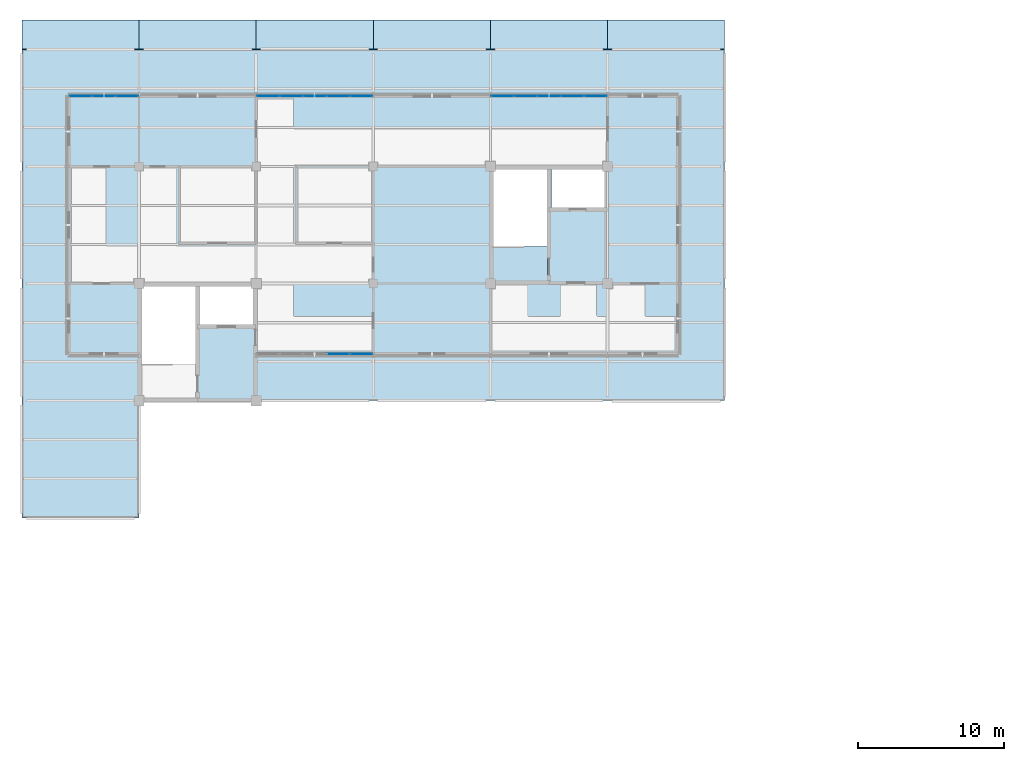
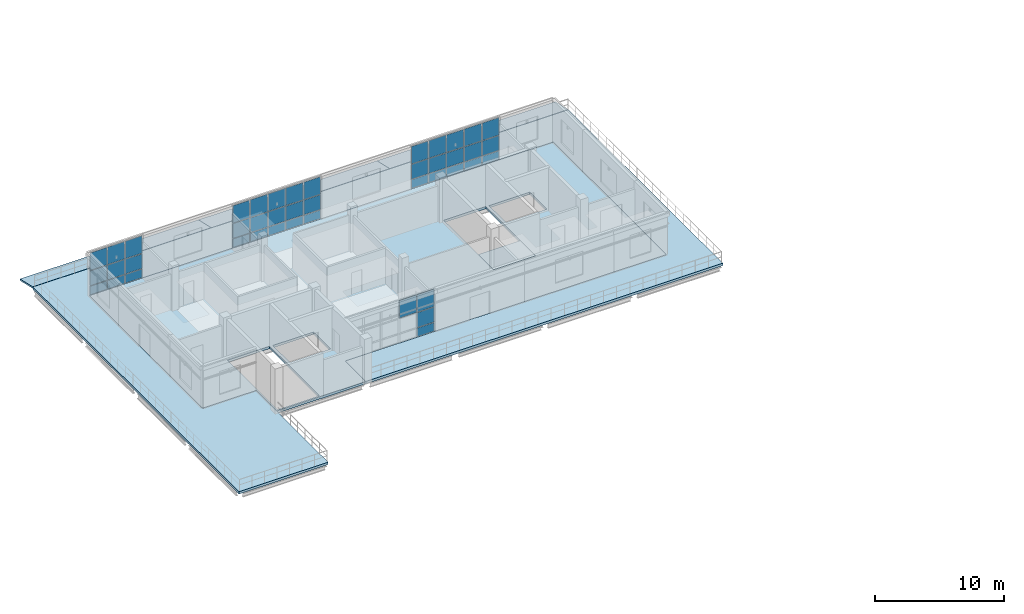
# One storey, part 13 of 24: 43 plates, 9 slabs, 4 elements without a shape of their own.
"""IFC4 building model written with IfcOpenShell, lengths in metres."""

from ifc_helpers import new_model, si_unit, derived_unit, direction, frame, origin, origin_2d, place, context, subcontext, project, spatial, polyline, rectangle, outline, extrude, material, layer, layer_set, type_object, element, aggregate, save


model = new_model("IFC4")

# Units and contexts
model_context = context("Model", 3, precision=1e-05, world=origin(), true_north=direction((0.0, 1.0)))
body_context = subcontext(model_context, "Body", "Model", "MODEL_VIEW")
ifc_project = project(units=[si_unit("LENGTHUNIT", "METRE"), si_unit("AREAUNIT", "SQUARE_METRE"), si_unit("VOLUMEUNIT", "CUBIC_METRE"), si_unit("PLANEANGLEUNIT", "RADIAN"), si_unit("MASSUNIT", "GRAM", prefix="KILO"), derived_unit("THERMALTRANSMITTANCEUNIT", [(si_unit("MASSUNIT", "GRAM", prefix="KILO"), 1), (si_unit("TIMEUNIT", "SECOND"), -3), (si_unit("THERMODYNAMICTEMPERATUREUNIT", "KELVIN"), -1)])], contexts=[model_context])

# Site, building, storey
site_placement = place(None, origin())
site = spatial("IfcSite", under=ifc_project, at=site_placement, CompositionType="ELEMENT")
building_placement = place(site_placement, origin())
building = spatial("IfcBuilding", under=site, at=building_placement, Name="Veyamyaing Civic Hall", CompositionType="ELEMENT")
storey_placement = place(building_placement, frame((0.0, 0.0, 25.739990234375)))
storey = spatial("IfcBuildingStorey", under=building, at=storey_placement, Name="L06", CompositionType="ELEMENT", Elevation=25.739990234375)

# Curtain wall, plates
ifc_material_1 = material(Name="Anodised aluminium 6063-T6", Category="aluminium")
ifc_layer_1 = layer(ifc_material_1, 0.159912109375, Name="Anodised aluminium 6063-T6")
ifc_layer_set_1 = layer_set([ifc_layer_1], Name="Anodised aluminium 6063-T6")
curtain_wall_type = type_object("IfcCurtainWallType", Name="CW-05", PredefinedType="NOTDEFINED", material=ifc_layer_set_1)
curtain_wall_1_placement = place(storey_placement, origin())
curtain_wall_1 = element("IfcCurtainWall", 1, at=curtain_wall_1_placement, inside=storey, type_object=curtain_wall_type, Name="Executive terrace curtain wall CW-05 L06-NW-S-2", PredefinedType="NOTDEFINED")
ifc_material_2 = material(Name="Low-E insulated glass", Category="glass")
ifc_layer_2 = layer(ifc_material_2, 0.0400390625, Name="Low-E insulated glass")
ifc_layer_set_2 = layer_set([ifc_layer_2], Name="Low-E insulated glass")
plate_type = type_object("IfcPlateType", Name="CWP-05", PredefinedType="CURTAIN_PANEL", material=ifc_layer_set_2)
plate_1_placement = place(storey_placement, frame((21.60009765625, 91.199951171875, 2.382568359375), z_axis=(0.0, 0.0, 1.0), x_axis=(1.0, 0.0, 0.0)))
plate_1 = element("IfcPlate", 2, at=plate_1_placement, type_object=plate_type, Name="CW-05 panel 4.3", PredefinedType="CURTAIN_PANEL", context=body_context, shape_type="SweptSolid", body=[
    extrude(rectangle(XDim=1.534912109375, YDim=0.0400390625, at=origin_2d()), origin(), (0.0, 0.0, 1.0), 1.642578125),
])
plate_2_placement = place(storey_placement, frame((23.183837890625, 91.199951171875, 0.06494140625), z_axis=(0.0, 0.0, 1.0), x_axis=(1.0, 0.0, 0.0)))
plate_2 = element("IfcPlate", 3, at=plate_2_placement, type_object=plate_type, Name="CW-05 panel 5.1", PredefinedType="CURTAIN_PANEL", context=body_context, shape_type="SweptSolid", body=[
    extrude(rectangle(XDim=1.50244140625, YDim=0.0400390625, at=origin_2d()), origin(), (0.0, 0.0, 1.0), 0.802490234375),
])
plate_3_placement = place(storey_placement, frame((23.183837890625, 91.199951171875, 0.9326171875), z_axis=(0.0, 0.0, 1.0), x_axis=(1.0, 0.0, 0.0)))
plate_3 = element("IfcPlate", 4, at=plate_3_placement, type_object=plate_type, Name="CW-05 panel 5.2", PredefinedType="CURTAIN_PANEL", context=body_context, shape_type="SweptSolid", body=[
    extrude(rectangle(XDim=1.50244140625, YDim=0.0400390625, at=origin_2d()), origin(), (0.0, 0.0, 1.0), 1.385009765625),
])
plate_4_placement = place(storey_placement, frame((23.183837890625, 91.199951171875, 2.382568359375), z_axis=(0.0, 0.0, 1.0), x_axis=(1.0, 0.0, 0.0)))
plate_4 = element("IfcPlate", 5, at=plate_4_placement, type_object=plate_type, Name="CW-05 panel 5.3", PredefinedType="CURTAIN_PANEL", context=body_context, shape_type="SweptSolid", body=[
    extrude(rectangle(XDim=1.50244140625, YDim=0.0400390625, at=origin_2d()), origin(), (0.0, 0.0, 1.0), 1.642578125),
])
aggregate(curtain_wall_1, [plate_1, plate_2, plate_3, plate_4])

curtain_wall_2_placement = place(storey_placement, origin())
curtain_wall_2 = element("IfcCurtainWall", 6, at=curtain_wall_2_placement, inside=storey, type_object=curtain_wall_type, Name="Executive terrace curtain wall CW-05 L06-NW-N-0", PredefinedType="NOTDEFINED")
plate_5_placement = place(storey_placement, frame((4.016357421875, 108.800048828125, 0.06494140625), z_axis=(0.0, 0.0, 1.0), x_axis=(1.0, 0.0, 0.0)))
plate_5 = element("IfcPlate", 7, at=plate_5_placement, type_object=plate_type, Name="CW-05 panel 1.1", PredefinedType="CURTAIN_PANEL", context=body_context, shape_type="SweptSolid", body=[
    extrude(rectangle(XDim=1.50244140625, YDim=0.0400390625, at=origin_2d()), origin(), (0.0, 0.0, 1.0), 0.802490234375),
])
plate_6_placement = place(storey_placement, frame((4.016357421875, 108.800048828125, 0.9326171875), z_axis=(0.0, 0.0, 1.0), x_axis=(1.0, 0.0, 0.0)))
plate_6 = element("IfcPlate", 8, at=plate_6_placement, type_object=plate_type, Name="CW-05 panel 1.2", PredefinedType="CURTAIN_PANEL", context=body_context, shape_type="SweptSolid", body=[
    extrude(rectangle(XDim=1.50244140625, YDim=0.0400390625, at=origin_2d()), origin(), (0.0, 0.0, 1.0), 1.385009765625),
])
plate_7_placement = place(storey_placement, frame((4.016357421875, 108.800048828125, 2.382568359375), z_axis=(0.0, 0.0, 1.0), x_axis=(1.0, 0.0, 0.0)))
plate_7 = element("IfcPlate", 9, at=plate_7_placement, type_object=plate_type, Name="CW-05 panel 1.3", PredefinedType="CURTAIN_PANEL", context=body_context, shape_type="SweptSolid", body=[
    extrude(rectangle(XDim=1.50244140625, YDim=0.0400390625, at=origin_2d()), origin(), (0.0, 0.0, 1.0), 1.642578125),
])
plate_8_placement = place(storey_placement, frame((5.60009765625, 108.800048828125, 0.06494140625), z_axis=(0.0, 0.0, 1.0), x_axis=(1.0, 0.0, 0.0)))
plate_8 = element("IfcPlate", 10, at=plate_8_placement, type_object=plate_type, Name="CW-05 panel 2.1", PredefinedType="CURTAIN_PANEL", context=body_context, shape_type="SweptSolid", body=[
    extrude(rectangle(XDim=1.534912109375, YDim=0.0400390625, at=origin_2d()), origin(), (0.0, 0.0, 1.0), 0.802490234375),
])
plate_9_placement = place(storey_placement, frame((5.60009765625, 108.800048828125, 0.9326171875), z_axis=(0.0, 0.0, 1.0), x_axis=(1.0, 0.0, 0.0)))
plate_9 = element("IfcPlate", 11, at=plate_9_placement, type_object=plate_type, Name="CW-05 panel 2.2", PredefinedType="CURTAIN_PANEL", context=body_context, shape_type="SweptSolid", body=[
    extrude(rectangle(XDim=1.534912109375, YDim=0.0400390625, at=origin_2d()), origin(), (0.0, 0.0, 1.0), 1.385009765625),
])
plate_10_placement = place(storey_placement, frame((5.60009765625, 108.800048828125, 2.382568359375), z_axis=(0.0, 0.0, 1.0), x_axis=(1.0, 0.0, 0.0)))
plate_10 = element("IfcPlate", 12, at=plate_10_placement, type_object=plate_type, Name="CW-05 panel 2.3", PredefinedType="CURTAIN_PANEL", context=body_context, shape_type="SweptSolid", body=[
    extrude(rectangle(XDim=1.534912109375, YDim=0.0400390625, at=origin_2d()), origin(), (0.0, 0.0, 1.0), 1.642578125),
])
plate_11_placement = place(storey_placement, frame((7.183837890625, 108.800048828125, 0.06494140625), z_axis=(0.0, 0.0, 1.0), x_axis=(1.0, 0.0, 0.0)))
plate_11 = element("IfcPlate", 13, at=plate_11_placement, type_object=plate_type, Name="CW-05 panel 3.1", PredefinedType="CURTAIN_PANEL", context=body_context, shape_type="SweptSolid", body=[
    extrude(rectangle(XDim=1.50244140625, YDim=0.0400390625, at=origin_2d()), origin(), (0.0, 0.0, 1.0), 0.802490234375),
])
plate_12_placement = place(storey_placement, frame((7.183837890625, 108.800048828125, 0.9326171875), z_axis=(0.0, 0.0, 1.0), x_axis=(1.0, 0.0, 0.0)))
plate_12 = element("IfcPlate", 14, at=plate_12_placement, type_object=plate_type, Name="CW-05 panel 3.2", PredefinedType="CURTAIN_PANEL", context=body_context, shape_type="SweptSolid", body=[
    extrude(rectangle(XDim=1.50244140625, YDim=0.0400390625, at=origin_2d()), origin(), (0.0, 0.0, 1.0), 1.385009765625),
])
plate_13_placement = place(storey_placement, frame((7.183837890625, 108.800048828125, 2.382568359375), z_axis=(0.0, 0.0, 1.0), x_axis=(1.0, 0.0, 0.0)))
plate_13 = element("IfcPlate", 15, at=plate_13_placement, type_object=plate_type, Name="CW-05 panel 3.3", PredefinedType="CURTAIN_PANEL", context=body_context, shape_type="SweptSolid", body=[
    extrude(rectangle(XDim=1.50244140625, YDim=0.0400390625, at=origin_2d()), origin(), (0.0, 0.0, 1.0), 1.642578125),
])
aggregate(curtain_wall_2, [plate_5, plate_6, plate_7, plate_8, plate_9, plate_10, plate_11, plate_12, plate_13])

curtain_wall_3_placement = place(storey_placement, origin())
curtain_wall_3 = element("IfcCurtainWall", 16, at=curtain_wall_3_placement, inside=storey, type_object=curtain_wall_type, Name="Executive terrace curtain wall CW-05 L06-NW-N-2", PredefinedType="NOTDEFINED")
plate_14_placement = place(storey_placement, frame((16.816162109375, 108.800048828125, 0.06494140625), z_axis=(0.0, 0.0, 1.0), x_axis=(1.0, 0.0, 0.0)))
plate_14 = element("IfcPlate", 17, at=plate_14_placement, type_object=plate_type, Name="CW-05 panel 1.1", PredefinedType="CURTAIN_PANEL", context=body_context, shape_type="SweptSolid", body=[
    extrude(rectangle(XDim=1.50244140625, YDim=0.0400390625, at=origin_2d()), origin(), (0.0, 0.0, 1.0), 0.802490234375),
])
plate_15_placement = place(storey_placement, frame((16.816162109375, 108.800048828125, 0.9326171875), z_axis=(0.0, 0.0, 1.0), x_axis=(1.0, 0.0, 0.0)))
plate_15 = element("IfcPlate", 18, at=plate_15_placement, type_object=plate_type, Name="CW-05 panel 1.2", PredefinedType="CURTAIN_PANEL", context=body_context, shape_type="SweptSolid", body=[
    extrude(rectangle(XDim=1.50244140625, YDim=0.0400390625, at=origin_2d()), origin(), (0.0, 0.0, 1.0), 1.385009765625),
])
plate_16_placement = place(storey_placement, frame((16.816162109375, 108.800048828125, 2.382568359375), z_axis=(0.0, 0.0, 1.0), x_axis=(1.0, 0.0, 0.0)))
plate_16 = element("IfcPlate", 19, at=plate_16_placement, type_object=plate_type, Name="CW-05 panel 1.3", PredefinedType="CURTAIN_PANEL", context=body_context, shape_type="SweptSolid", body=[
    extrude(rectangle(XDim=1.50244140625, YDim=0.0400390625, at=origin_2d()), origin(), (0.0, 0.0, 1.0), 1.642578125),
])
plate_17_placement = place(storey_placement, frame((18.39990234375, 108.800048828125, 0.06494140625), z_axis=(0.0, 0.0, 1.0), x_axis=(1.0, 0.0, 0.0)))
plate_17 = element("IfcPlate", 20, at=plate_17_placement, type_object=plate_type, Name="CW-05 panel 2.1", PredefinedType="CURTAIN_PANEL", context=body_context, shape_type="SweptSolid", body=[
    extrude(rectangle(XDim=1.534912109375, YDim=0.0400390625, at=origin_2d()), origin(), (0.0, 0.0, 1.0), 0.802490234375),
])
plate_18_placement = place(storey_placement, frame((18.39990234375, 108.800048828125, 0.9326171875), z_axis=(0.0, 0.0, 1.0), x_axis=(1.0, 0.0, 0.0)))
plate_18 = element("IfcPlate", 21, at=plate_18_placement, type_object=plate_type, Name="CW-05 panel 2.2", PredefinedType="CURTAIN_PANEL", context=body_context, shape_type="SweptSolid", body=[
    extrude(rectangle(XDim=1.534912109375, YDim=0.0400390625, at=origin_2d()), origin(), (0.0, 0.0, 1.0), 1.385009765625),
])
plate_19_placement = place(storey_placement, frame((18.39990234375, 108.800048828125, 2.382568359375), z_axis=(0.0, 0.0, 1.0), x_axis=(1.0, 0.0, 0.0)))
plate_19 = element("IfcPlate", 22, at=plate_19_placement, type_object=plate_type, Name="CW-05 panel 2.3", PredefinedType="CURTAIN_PANEL", context=body_context, shape_type="SweptSolid", body=[
    extrude(rectangle(XDim=1.534912109375, YDim=0.0400390625, at=origin_2d()), origin(), (0.0, 0.0, 1.0), 1.642578125),
])
plate_20_placement = place(storey_placement, frame((20.0, 108.800048828125, 0.06494140625), z_axis=(0.0, 0.0, 1.0), x_axis=(1.0, 0.0, 0.0)))
plate_20 = element("IfcPlate", 23, at=plate_20_placement, type_object=plate_type, Name="CW-05 panel 3.1", PredefinedType="CURTAIN_PANEL", context=body_context, shape_type="SweptSolid", body=[
    extrude(rectangle(XDim=1.534912109375, YDim=0.0400390625, at=origin_2d()), origin(), (0.0, 0.0, 1.0), 0.802490234375),
])
plate_21_placement = place(storey_placement, frame((20.0, 108.800048828125, 0.9326171875), z_axis=(0.0, 0.0, 1.0), x_axis=(1.0, 0.0, 0.0)))
plate_21 = element("IfcPlate", 24, at=plate_21_placement, type_object=plate_type, Name="CW-05 panel 3.2", PredefinedType="CURTAIN_PANEL", context=body_context, shape_type="SweptSolid", body=[
    extrude(rectangle(XDim=1.534912109375, YDim=0.0400390625, at=origin_2d()), origin(), (0.0, 0.0, 1.0), 1.385009765625),
])
plate_22_placement = place(storey_placement, frame((20.0, 108.800048828125, 2.382568359375), z_axis=(0.0, 0.0, 1.0), x_axis=(1.0, 0.0, 0.0)))
plate_22 = element("IfcPlate", 25, at=plate_22_placement, type_object=plate_type, Name="CW-05 panel 3.3", PredefinedType="CURTAIN_PANEL", context=body_context, shape_type="SweptSolid", body=[
    extrude(rectangle(XDim=1.534912109375, YDim=0.0400390625, at=origin_2d()), origin(), (0.0, 0.0, 1.0), 1.642578125),
])
plate_23_placement = place(storey_placement, frame((21.60009765625, 108.800048828125, 0.06494140625), z_axis=(0.0, 0.0, 1.0), x_axis=(1.0, 0.0, 0.0)))
plate_23 = element("IfcPlate", 26, at=plate_23_placement, type_object=plate_type, Name="CW-05 panel 4.1", PredefinedType="CURTAIN_PANEL", context=body_context, shape_type="SweptSolid", body=[
    extrude(rectangle(XDim=1.534912109375, YDim=0.0400390625, at=origin_2d()), origin(), (0.0, 0.0, 1.0), 0.802490234375),
])
plate_24_placement = place(storey_placement, frame((21.60009765625, 108.800048828125, 0.9326171875), z_axis=(0.0, 0.0, 1.0), x_axis=(1.0, 0.0, 0.0)))
plate_24 = element("IfcPlate", 27, at=plate_24_placement, type_object=plate_type, Name="CW-05 panel 4.2", PredefinedType="CURTAIN_PANEL", context=body_context, shape_type="SweptSolid", body=[
    extrude(rectangle(XDim=1.534912109375, YDim=0.0400390625, at=origin_2d()), origin(), (0.0, 0.0, 1.0), 1.385009765625),
])
plate_25_placement = place(storey_placement, frame((21.60009765625, 108.800048828125, 2.382568359375), z_axis=(0.0, 0.0, 1.0), x_axis=(1.0, 0.0, 0.0)))
plate_25 = element("IfcPlate", 28, at=plate_25_placement, type_object=plate_type, Name="CW-05 panel 4.3", PredefinedType="CURTAIN_PANEL", context=body_context, shape_type="SweptSolid", body=[
    extrude(rectangle(XDim=1.534912109375, YDim=0.0400390625, at=origin_2d()), origin(), (0.0, 0.0, 1.0), 1.642578125),
])
plate_26_placement = place(storey_placement, frame((23.183837890625, 108.800048828125, 0.06494140625), z_axis=(0.0, 0.0, 1.0), x_axis=(1.0, 0.0, 0.0)))
plate_26 = element("IfcPlate", 29, at=plate_26_placement, type_object=plate_type, Name="CW-05 panel 5.1", PredefinedType="CURTAIN_PANEL", context=body_context, shape_type="SweptSolid", body=[
    extrude(rectangle(XDim=1.50244140625, YDim=0.0400390625, at=origin_2d()), origin(), (0.0, 0.0, 1.0), 0.802490234375),
])
plate_27_placement = place(storey_placement, frame((23.183837890625, 108.800048828125, 0.9326171875), z_axis=(0.0, 0.0, 1.0), x_axis=(1.0, 0.0, 0.0)))
plate_27 = element("IfcPlate", 30, at=plate_27_placement, type_object=plate_type, Name="CW-05 panel 5.2", PredefinedType="CURTAIN_PANEL", context=body_context, shape_type="SweptSolid", body=[
    extrude(rectangle(XDim=1.50244140625, YDim=0.0400390625, at=origin_2d()), origin(), (0.0, 0.0, 1.0), 1.385009765625),
])
plate_28_placement = place(storey_placement, frame((23.183837890625, 108.800048828125, 2.382568359375), z_axis=(0.0, 0.0, 1.0), x_axis=(1.0, 0.0, 0.0)))
plate_28 = element("IfcPlate", 31, at=plate_28_placement, type_object=plate_type, Name="CW-05 panel 5.3", PredefinedType="CURTAIN_PANEL", context=body_context, shape_type="SweptSolid", body=[
    extrude(rectangle(XDim=1.50244140625, YDim=0.0400390625, at=origin_2d()), origin(), (0.0, 0.0, 1.0), 1.642578125),
])
aggregate(curtain_wall_3, [plate_14, plate_15, plate_16, plate_17, plate_18, plate_19, plate_20, plate_21, plate_22, plate_23, plate_24, plate_25, plate_26, plate_27, plate_28])

curtain_wall_4_placement = place(storey_placement, origin())
curtain_wall_4 = element("IfcCurtainWall", 32, at=curtain_wall_4_placement, inside=storey, type_object=curtain_wall_type, Name="Executive terrace curtain wall CW-05 L06-NW-N-4", PredefinedType="NOTDEFINED")
plate_29_placement = place(storey_placement, frame((32.816162109375, 108.800048828125, 0.06494140625), z_axis=(0.0, 0.0, 1.0), x_axis=(1.0, 0.0, 0.0)))
plate_29 = element("IfcPlate", 33, at=plate_29_placement, type_object=plate_type, Name="CW-05 panel 1.1", PredefinedType="CURTAIN_PANEL", context=body_context, shape_type="SweptSolid", body=[
    extrude(rectangle(XDim=1.50244140625, YDim=0.0400390625, at=origin_2d()), origin(), (0.0, 0.0, 1.0), 0.802490234375),
])
plate_30_placement = place(storey_placement, frame((32.816162109375, 108.800048828125, 0.9326171875), z_axis=(0.0, 0.0, 1.0), x_axis=(1.0, 0.0, 0.0)))
plate_30 = element("IfcPlate", 34, at=plate_30_placement, type_object=plate_type, Name="CW-05 panel 1.2", PredefinedType="CURTAIN_PANEL", context=body_context, shape_type="SweptSolid", body=[
    extrude(rectangle(XDim=1.50244140625, YDim=0.0400390625, at=origin_2d()), origin(), (0.0, 0.0, 1.0), 1.385009765625),
])
plate_31_placement = place(storey_placement, frame((32.816162109375, 108.800048828125, 2.382568359375), z_axis=(0.0, 0.0, 1.0), x_axis=(1.0, 0.0, 0.0)))
plate_31 = element("IfcPlate", 35, at=plate_31_placement, type_object=plate_type, Name="CW-05 panel 1.3", PredefinedType="CURTAIN_PANEL", context=body_context, shape_type="SweptSolid", body=[
    extrude(rectangle(XDim=1.50244140625, YDim=0.0400390625, at=origin_2d()), origin(), (0.0, 0.0, 1.0), 1.642578125),
])
plate_32_placement = place(storey_placement, frame((34.39990234375, 108.800048828125, 0.06494140625), z_axis=(0.0, 0.0, 1.0), x_axis=(1.0, 0.0, 0.0)))
plate_32 = element("IfcPlate", 36, at=plate_32_placement, type_object=plate_type, Name="CW-05 panel 2.1", PredefinedType="CURTAIN_PANEL", context=body_context, shape_type="SweptSolid", body=[
    extrude(rectangle(XDim=1.534912109375, YDim=0.0400390625, at=origin_2d()), origin(), (0.0, 0.0, 1.0), 0.802490234375),
])
plate_33_placement = place(storey_placement, frame((34.39990234375, 108.800048828125, 0.9326171875), z_axis=(0.0, 0.0, 1.0), x_axis=(1.0, 0.0, 0.0)))
plate_33 = element("IfcPlate", 37, at=plate_33_placement, type_object=plate_type, Name="CW-05 panel 2.2", PredefinedType="CURTAIN_PANEL", context=body_context, shape_type="SweptSolid", body=[
    extrude(rectangle(XDim=1.534912109375, YDim=0.0400390625, at=origin_2d()), origin(), (0.0, 0.0, 1.0), 1.385009765625),
])
plate_34_placement = place(storey_placement, frame((34.39990234375, 108.800048828125, 2.382568359375), z_axis=(0.0, 0.0, 1.0), x_axis=(1.0, 0.0, 0.0)))
plate_34 = element("IfcPlate", 38, at=plate_34_placement, type_object=plate_type, Name="CW-05 panel 2.3", PredefinedType="CURTAIN_PANEL", context=body_context, shape_type="SweptSolid", body=[
    extrude(rectangle(XDim=1.534912109375, YDim=0.0400390625, at=origin_2d()), origin(), (0.0, 0.0, 1.0), 1.642578125),
])
plate_35_placement = place(storey_placement, frame((36.0, 108.800048828125, 0.06494140625), z_axis=(0.0, 0.0, 1.0), x_axis=(1.0, 0.0, 0.0)))
plate_35 = element("IfcPlate", 39, at=plate_35_placement, type_object=plate_type, Name="CW-05 panel 3.1", PredefinedType="CURTAIN_PANEL", context=body_context, shape_type="SweptSolid", body=[
    extrude(rectangle(XDim=1.534912109375, YDim=0.0400390625, at=origin_2d()), origin(), (0.0, 0.0, 1.0), 0.802490234375),
])
plate_36_placement = place(storey_placement, frame((36.0, 108.800048828125, 0.9326171875), z_axis=(0.0, 0.0, 1.0), x_axis=(1.0, 0.0, 0.0)))
plate_36 = element("IfcPlate", 40, at=plate_36_placement, type_object=plate_type, Name="CW-05 panel 3.2", PredefinedType="CURTAIN_PANEL", context=body_context, shape_type="SweptSolid", body=[
    extrude(rectangle(XDim=1.534912109375, YDim=0.0400390625, at=origin_2d()), origin(), (0.0, 0.0, 1.0), 1.385009765625),
])
plate_37_placement = place(storey_placement, frame((36.0, 108.800048828125, 2.382568359375), z_axis=(0.0, 0.0, 1.0), x_axis=(1.0, 0.0, 0.0)))
plate_37 = element("IfcPlate", 41, at=plate_37_placement, type_object=plate_type, Name="CW-05 panel 3.3", PredefinedType="CURTAIN_PANEL", context=body_context, shape_type="SweptSolid", body=[
    extrude(rectangle(XDim=1.534912109375, YDim=0.0400390625, at=origin_2d()), origin(), (0.0, 0.0, 1.0), 1.642578125),
])
plate_38_placement = place(storey_placement, frame((37.60009765625, 108.800048828125, 0.06494140625), z_axis=(0.0, 0.0, 1.0), x_axis=(1.0, 0.0, 0.0)))
plate_38 = element("IfcPlate", 42, at=plate_38_placement, type_object=plate_type, Name="CW-05 panel 4.1", PredefinedType="CURTAIN_PANEL", context=body_context, shape_type="SweptSolid", body=[
    extrude(rectangle(XDim=1.534912109375, YDim=0.0400390625, at=origin_2d()), origin(), (0.0, 0.0, 1.0), 0.802490234375),
])
plate_39_placement = place(storey_placement, frame((37.60009765625, 108.800048828125, 0.9326171875), z_axis=(0.0, 0.0, 1.0), x_axis=(1.0, 0.0, 0.0)))
plate_39 = element("IfcPlate", 43, at=plate_39_placement, type_object=plate_type, Name="CW-05 panel 4.2", PredefinedType="CURTAIN_PANEL", context=body_context, shape_type="SweptSolid", body=[
    extrude(rectangle(XDim=1.534912109375, YDim=0.0400390625, at=origin_2d()), origin(), (0.0, 0.0, 1.0), 1.385009765625),
])
plate_40_placement = place(storey_placement, frame((37.60009765625, 108.800048828125, 2.382568359375), z_axis=(0.0, 0.0, 1.0), x_axis=(1.0, 0.0, 0.0)))
plate_40 = element("IfcPlate", 44, at=plate_40_placement, type_object=plate_type, Name="CW-05 panel 4.3", PredefinedType="CURTAIN_PANEL", context=body_context, shape_type="SweptSolid", body=[
    extrude(rectangle(XDim=1.534912109375, YDim=0.0400390625, at=origin_2d()), origin(), (0.0, 0.0, 1.0), 1.642578125),
])
plate_41_placement = place(storey_placement, frame((39.183837890625, 108.800048828125, 0.06494140625), z_axis=(0.0, 0.0, 1.0), x_axis=(1.0, 0.0, 0.0)))
plate_41 = element("IfcPlate", 45, at=plate_41_placement, type_object=plate_type, Name="CW-05 panel 5.1", PredefinedType="CURTAIN_PANEL", context=body_context, shape_type="SweptSolid", body=[
    extrude(rectangle(XDim=1.50244140625, YDim=0.0400390625, at=origin_2d()), origin(), (0.0, 0.0, 1.0), 0.802490234375),
])
plate_42_placement = place(storey_placement, frame((39.183837890625, 108.800048828125, 0.9326171875), z_axis=(0.0, 0.0, 1.0), x_axis=(1.0, 0.0, 0.0)))
plate_42 = element("IfcPlate", 46, at=plate_42_placement, type_object=plate_type, Name="CW-05 panel 5.2", PredefinedType="CURTAIN_PANEL", context=body_context, shape_type="SweptSolid", body=[
    extrude(rectangle(XDim=1.50244140625, YDim=0.0400390625, at=origin_2d()), origin(), (0.0, 0.0, 1.0), 1.385009765625),
])
plate_43_placement = place(storey_placement, frame((39.183837890625, 108.800048828125, 2.382568359375), z_axis=(0.0, 0.0, 1.0), x_axis=(1.0, 0.0, 0.0)))
plate_43 = element("IfcPlate", 47, at=plate_43_placement, type_object=plate_type, Name="CW-05 panel 5.3", PredefinedType="CURTAIN_PANEL", context=body_context, shape_type="SweptSolid", body=[
    extrude(rectangle(XDim=1.50244140625, YDim=0.0400390625, at=origin_2d()), origin(), (0.0, 0.0, 1.0), 1.642578125),
])
aggregate(curtain_wall_4, [plate_29, plate_30, plate_31, plate_32, plate_33, plate_34, plate_35, plate_36, plate_37, plate_38, plate_39, plate_40, plate_41, plate_42, plate_43])

# Slabs
ifc_material_3 = material(Name="Concrete C40/50", Category="concrete")
ifc_layer_3 = layer(ifc_material_3, 0.22509765625, Name="Concrete C40/50")
ifc_layer_set_3 = layer_set([ifc_layer_3], Name="Concrete C40/50")
slab_type_1 = type_object("IfcSlabType", Name="SL-07", PredefinedType="FLOOR", material=ifc_layer_set_3)
slab_1_placement = place(storey_placement, frame((0.0, 0.0, -0.22509765625)))
element("IfcSlab", 48, at=slab_1_placement, inside=storey, type_object=slab_type_1, Name="Floor slab SL-07 L06 V4NW.1", PredefinedType="FLOOR", context=body_context, shape_type="SweptSolid", body=[
    extrude(outline(polyline([(8.0, 91.199951171875), (3.199951171875, 91.199951171875), (3.199951171875, 108.800048828125), (44.800048828125, 108.800048828125), (44.800048828125, 91.199951171875), (16.0, 91.199951171875), (16.0, 88.0), (8.0, 88.0), (8.0, 91.199951171875)]), holes=[polyline([(8.139892578125, 95.860107421875), (8.139892578125, 88.139892578125), (11.909912109375, 88.139892578125), (11.909912109375, 95.860107421875), (8.139892578125, 95.860107421875)]), polyline([(12.179931640625, 95.820068359375), (12.179931640625, 93.179931640625), (15.820068359375, 93.179931640625), (15.820068359375, 95.820068359375), (12.179931640625, 95.820068359375)]), polyline([(32.139892578125, 103.860107421875), (32.139892578125, 96.139892578125), (35.909912109375, 96.139892578125), (35.909912109375, 103.860107421875), (32.139892578125, 103.860107421875)]), polyline([(36.179931640625, 103.820068359375), (36.179931640625, 101.179931640625), (39.820068359375, 101.179931640625), (39.820068359375, 103.820068359375), (36.179931640625, 103.820068359375)])]), origin(), (0.0, 0.0, 1.0), 0.22509765625),
])
ifc_layer_4 = layer(ifc_material_3, 0.22998046875, Name="Concrete C40/50")
ifc_layer_set_4 = layer_set([ifc_layer_4], Name="Concrete C40/50")
slab_type_2 = type_object("IfcSlabType", Name="SL-08", PredefinedType="ROOF", material=ifc_layer_set_4)
slab_2_placement = place(storey_placement, frame((0.0, 0.0, -0.22998046875)))
element("IfcSlab", 49, at=slab_2_placement, inside=storey, type_object=slab_type_2, Name="Setback planted roof terrace slab SL-08 L06.1", PredefinedType="ROOF", context=body_context, shape_type="SweptSolid", body=[
    extrude(outline(polyline([(8.0, 112.0), (16.0, 112.0), (24.0, 112.0), (32.0, 112.0), (40.0, 112.0), (48.0, 112.0), (48.0, 104.0), (48.0, 96.0), (48.0, 88.0), (40.0, 88.0), (32.0, 88.0), (24.0, 88.0), (16.0, 88.0), (16.0, 91.199951171875), (44.800048828125, 91.199951171875), (44.800048828125, 108.800048828125), (3.199951171875, 108.800048828125), (3.199951171875, 91.199951171875), (8.0, 91.199951171875), (8.0, 88.0), (8.0, 80.0), (0.0, 80.0), (0.0, 88.0), (0.0, 96.0), (0.0, 104.0), (0.0, 112.0), (8.0, 112.0)])), origin(), (0.0, 0.0, 1.0), 0.22998046875),
])
ifc_layer_5 = layer(ifc_material_3, 0.14990234375, Name="Concrete C40/50")
ifc_layer_set_5 = layer_set([ifc_layer_5], Name="Concrete C40/50")
slab_type_3 = type_object("IfcSlabType", Name="SL-13", PredefinedType="ROOF", material=ifc_layer_set_5)
for number, where, z_axis, x_axis, name in (
    (50, (0.0, 112.01806640625, 0.0), (0.0, 0.221392645263, 0.975184749995), (1.0, 0.0, 0.0), "Sacak overhanging monsoon eave slab SL-13 V4-NW.1"),
    (51, (8.0, 112.01806640625, 0.0), (0.0, 0.221392645263, 0.975184749995), (1.0, 0.0, 0.0), "Sacak overhanging monsoon eave slab SL-13 V4-NW.2"),
    (52, (16.0, 112.01806640625, 0.0), (0.0, 0.221392645263, 0.975184749995), (1.0, 0.0, 0.0), "Sacak overhanging monsoon eave slab SL-13 V4-NW.3"),
    (53, (24.0, 112.01806640625, 0.0), (0.0, 0.221392645263, 0.975184749995), (1.0, 0.0, 0.0), "Sacak overhanging monsoon eave slab SL-13 V4-NW.4"),
    (54, (32.0, 112.01806640625, 0.0), (0.0, 0.221392645263, 0.975184749995), (1.0, 0.0, 0.0), "Sacak overhanging monsoon eave slab SL-13 V4-NW.5"),
    (55, (40.0, 112.01806640625, 0.0), (0.0, 0.221392645263, 0.975184749995), (1.0, 0.0, 0.0), "Sacak overhanging monsoon eave slab SL-13 V4-NW.6"),
):
    element("IfcSlab", number, at=place(storey_placement, frame(where, z_axis=z_axis, x_axis=x_axis)), inside=storey, type_object=slab_type_3, Name=name, PredefinedType="ROOF", context=body_context, shape_type="SweptSolid", body=[
        extrude(outline(polyline([(0.0, 0.0), (8.0, 0.0), (8.0, 2.0323672963090296), (0.0, 2.0323672963090296), (0.0, 0.0)])), origin(), (0.0, 0.0, -1.0), 0.14990234375),
    ])
ifc_layer_6 = layer(ifc_material_3, 0.199951171875, Name="Concrete C40/50")
ifc_layer_set_6 = layer_set([ifc_layer_6], Name="Concrete C40/50")
slab_type_4 = type_object("IfcSlabType", Name="SL-16", PredefinedType="FLOOR", material=ifc_layer_set_6)
slab_3_placement = place(storey_placement, frame((0.0, 0.0, -0.199951171875)))
element("IfcSlab", 56, at=slab_3_placement, inside=storey, type_object=slab_type_4, Name="Stair floor landing slab SL-16 ST-02 L06", PredefinedType="FLOOR", context=body_context, shape_type="SweptSolid", body=[
    extrude(outline(polyline([(32.139892578125, 96.139892578125), (35.909912109375, 96.139892578125), (35.909912109375, 98.52001953125), (32.139892578125, 98.52001953125), (32.139892578125, 96.139892578125)])), origin(), (0.0, 0.0, 1.0), 0.199951171875),
])

save(model, "model.ifc")
